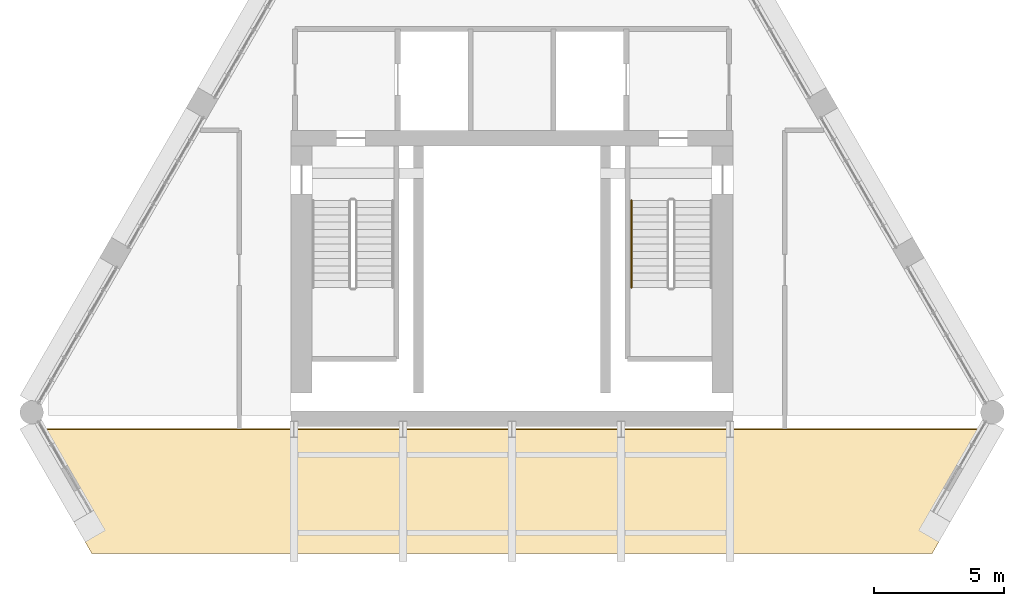
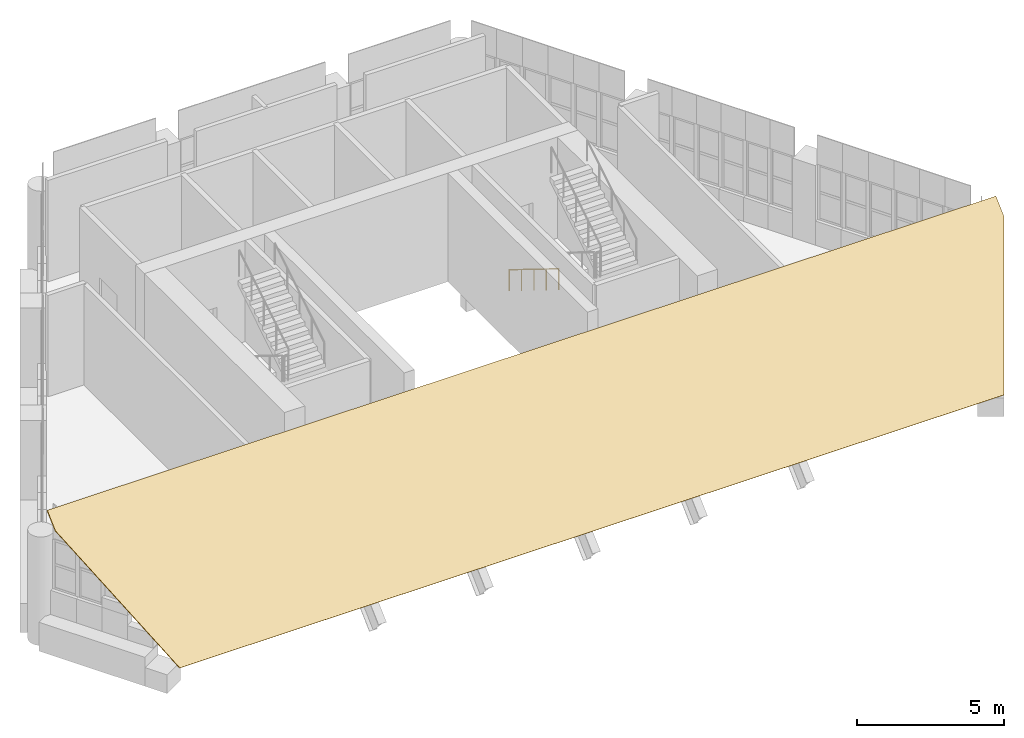
# One storey, part 18 of 20: 1 covering, 1 railing.
"""IFC4 building model written with IfcOpenShell, lengths in metres."""

from ifc_helpers import new_model, si_unit, direction, frame, origin, origin_2d, place, context, subcontext, project, spatial, polyline, circle, outline, extrude, material, layer, layer_set, type_object, element, save


model = new_model("IFC4")

# Units and contexts
model_context = context("Model", 3, precision=1e-05, world=origin(), true_north=direction((0.0, 1.0)))
body_context = subcontext(model_context, "Body", "Model", "MODEL_VIEW")
ifc_project = project(units=[si_unit("LENGTHUNIT", "METRE"), si_unit("AREAUNIT", "SQUARE_METRE"), si_unit("VOLUMEUNIT", "CUBIC_METRE"), si_unit("PLANEANGLEUNIT", "RADIAN"), si_unit("MASSUNIT", "GRAM", prefix="KILO")], contexts=[model_context])

# Site, building, storey
site_placement = place(None, origin())
site = spatial("IfcSite", under=ifc_project, at=site_placement, CompositionType="ELEMENT")
building_placement = place(site_placement, origin())
building = spatial("IfcBuilding", under=site, at=building_placement, Name="Ostrander Bayou Hotel Tower", CompositionType="ELEMENT")
storey_placement = place(building_placement, frame((0.0, 0.0, 284.0)))
storey = spatial("IfcBuildingStorey", under=building, at=storey_placement, Name="L70", CompositionType="ELEMENT", Elevation=284.0)

# Covering
ifc_material_1 = material(Name="Reconstituted stone panels", Category="masonry")
ifc_layer = layer(ifc_material_1, 0.0400390625)
ifc_layer_set = layer_set([ifc_layer], Name="CV3 crown cladding 40 mm")
covering_type = type_object("IfcCoveringType", Name="CV3 crown cladding 40 mm", PredefinedType="CLADDING", material=ifc_layer_set)
covering_placement = place(storey_placement, frame((18.61572265625, -2.3564453125, 4.02587890625), z_axis=(0.0, -0.685643010938, 0.727937951718), x_axis=(-0.387440288323, -0.671082212695, -0.632090726707)))
element("IfcCovering", 1, at=covering_placement, inside=storey, type_object=covering_type, Name="CV3 crown cladding L70", PredefinedType="CLADDING", context=body_context, shape_type="SweptSolid", body=[
    extrude(outline(polyline([(0.0, 0.0), (6.305785195826144, 0.0), (18.83762456076425, -29.818885381914146), (14.424961906564176, -34.32347584455646), (13.733623308412312, -34.61402138802186), (-0.6913385981518629, -0.2905455434653975), (0.0, 0.0)])), origin(), (0.0, 0.0, -1.0), 0.0400390625),
])

# Railing
ifc_material_2 = material(Name="Steel ASTM A500 Gr C", Category="steel")
railing_type = type_object("IfcRailingType", Name="HR1 stair handrail 900 mm steel", PredefinedType="HANDRAIL", material=ifc_material_2)
railing_placement = place(storey_placement, frame((4.60009765625, 7.0, 0.173095703125)))
element("IfcRailing", 2, at=railing_placement, inside=storey, type_object=railing_type, Name="L70 STB stair handrail 1", PredefinedType="HANDRAIL", context=body_context, shape_type="SweptSolid", body=[
    extrude(circle(Radius=0.02392578125, at=origin_2d()), frame((0.0, 0.0, 0.8759765625), z_axis=(0.0, -0.850623216509, 0.525775754039), x_axis=(1.0, 0.0, 0.0)), (0.0, 0.0, 1.0), 3.9501953125),
    extrude(circle(Radius=0.02099609375, at=origin_2d()), origin(), (0.0, 0.0, 1.0), 0.851806640625),
    extrude(circle(Radius=0.02099609375, at=origin_2d()), frame((0.0, -0.840087890625, 0.519287109375)), (0.0, 0.0, 1.0), 0.851806640625),
    extrude(circle(Radius=0.02099609375, at=origin_2d()), frame((0.0, -1.68017578125, 1.03857421875)), (0.0, 0.0, 1.0), 0.851806640625),
    extrude(circle(Radius=0.02099609375, at=origin_2d()), frame((0.0, -2.52001953125, 1.5576171875)), (0.0, 0.0, 1.0), 0.851806640625),
    extrude(circle(Radius=0.02099609375, at=origin_2d()), frame((0.0, -3.360107421875, 2.076904296875)), (0.0, 0.0, 1.0), 0.851806640625),
])

save(model, "model.ifc")
